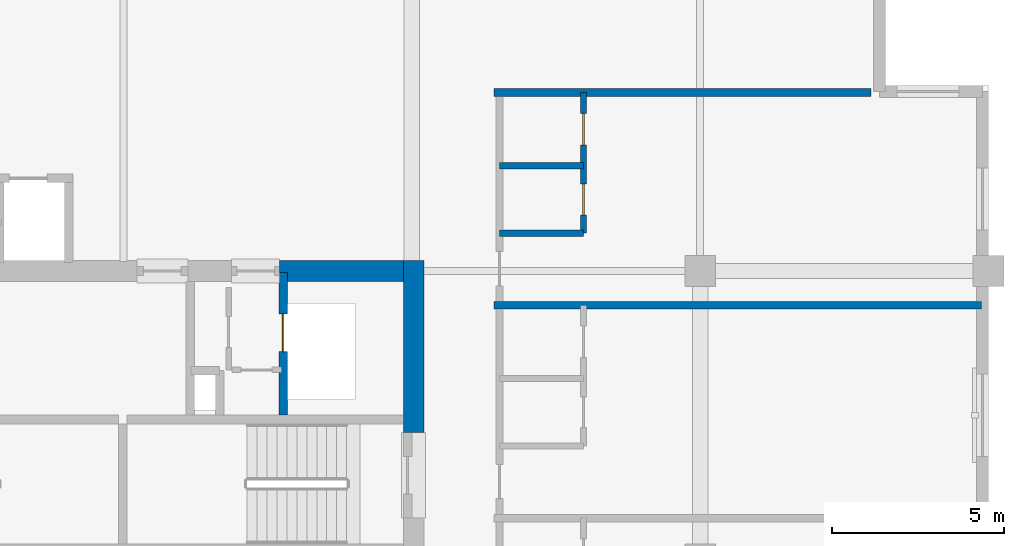
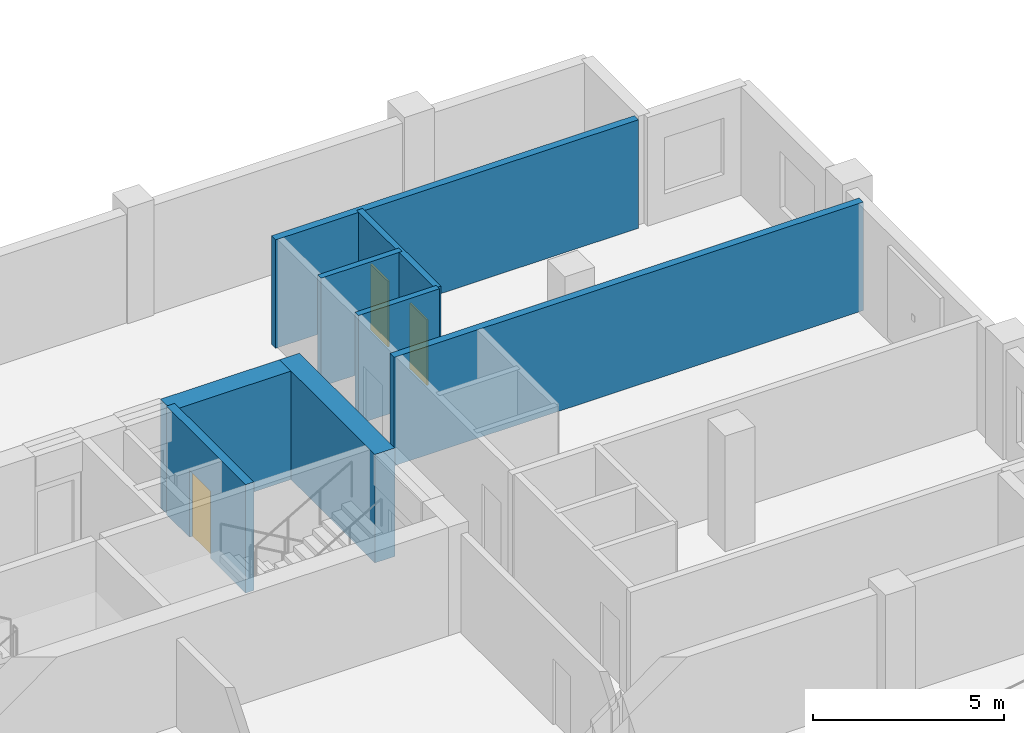
# One storey, part 8 of 17: 8 walls, 3 doors, 3 openings.
"""IFC4 building model written with IfcOpenShell, lengths in metres."""

from ifc_helpers import new_model, si_unit, direction, frame, frame_2d, origin, place, context, subcontext, project, spatial, rectangle, extrude, material, layer, layer_set, type_object, element, fill, save


model = new_model("IFC4")

# Units and contexts
model_context = context("Model", 3, precision=1e-05, world=origin(), true_north=direction((0.0, 1.0)))
body_context = subcontext(model_context, "Body", "Model", "MODEL_VIEW")
ifc_project = project(units=[si_unit("LENGTHUNIT", "METRE"), si_unit("AREAUNIT", "SQUARE_METRE"), si_unit("VOLUMEUNIT", "CUBIC_METRE"), si_unit("PLANEANGLEUNIT", "RADIAN"), si_unit("MASSUNIT", "GRAM", prefix="KILO")], contexts=[model_context])

# Site, building, storey
site_placement = place(None, origin())
site = spatial("IfcSite", under=ifc_project, at=site_placement, CompositionType="ELEMENT")
building_placement = place(site_placement, origin())
building = spatial("IfcBuilding", under=site, at=building_placement, Name="Koriwani Terraces Tower", CompositionType="ELEMENT")
storey_placement = place(building_placement, frame((0.0, 0.0, 237.89990234375)))
storey = spatial("IfcBuildingStorey", under=building, at=storey_placement, Name="L58", CompositionType="ELEMENT", Elevation=237.89990234375)

# Walls
ifc_material_1 = material(Name="Concrete C60/75", Category="concrete")
ifc_layer_1 = layer(ifc_material_1, 0.60009765625, Name="Concrete C60/75")
ifc_layer_set_1 = layer_set([ifc_layer_1], Name="Concrete C60/75")
wall_type_1 = type_object("IfcWallType", Name="WALL_CORE_RC_600", PredefinedType="SHEAR", material=ifc_layer_set_1)
wall_1_placement = place(storey_placement, frame((58.85009765625, 20.5, 0.0), z_axis=(0.0, 0.0, 1.0), x_axis=(0.0, 1.0, 0.0)))
element("IfcWall", 1, at=wall_1_placement, inside=storey, type_object=wall_type_1, Name="L58 East Split Core Shear Wall E2", PredefinedType="SHEAR", context=body_context, shape_type="SweptSolid", body=[
    extrude(rectangle(XDim=5.0, YDim=0.60009765625, at=frame_2d((2.5, 0.0))), origin(), (0.0, 0.0, 1.0), 3.47021484375),
])
wall_2_placement = place(storey_placement, frame((54.949951171875, 25.199951171875, 0.0), z_axis=(0.0, 0.0, 1.0), x_axis=(1.0, 0.0, 0.0)))
element("IfcWall", 2, at=wall_2_placement, inside=storey, type_object=wall_type_1, Name="L58 East Split Core Shear Wall N3", PredefinedType="SHEAR", context=body_context, shape_type="SweptSolid", body=[
    extrude(rectangle(XDim=3.60009765625, YDim=0.60009765625, at=frame_2d((1.800048828125, 0.0))), origin(), (0.0, 0.0, 1.0), 3.47021484375),
])
ifc_material_2 = material(Name="Autoclaved Cellular Concrete Blockwork", Category="masonry")
ifc_layer_2 = layer(ifc_material_2, 0.219970703125, Name="Autoclaved Cellular Concrete Blockwork")
ifc_layer_set_2 = layer_set([ifc_layer_2], Name="Autoclaved Cellular Concrete Blockwork")
wall_type_2 = type_object("IfcWallType", Name="WALL_DEMISING_220", PredefinedType="PARTITIONING", material=ifc_layer_set_2)
wall_3_placement = place(storey_placement, frame((61.199951171875, 24.199951171875, 0.0), z_axis=(0.0, 0.0, 1.0), x_axis=(1.0, 0.0, 0.0)))
element("IfcWall", 3, at=wall_3_placement, inside=storey, type_object=wall_type_2, Name="L58 Interior Wall WRDEM-L58-ETE-2", PredefinedType="PARTITIONING", context=body_context, shape_type="SweptSolid", body=[
    extrude(rectangle(XDim=14.199951171875, YDim=0.219970703125, at=frame_2d((7.10009765625, 0.0))), origin(), (0.0, 0.0, 1.0), 3.47021484375),
])
wall_4_placement = place(storey_placement, frame((61.199951171875, 30.39990234375, 0.0), z_axis=(0.0, 0.0, 1.0), x_axis=(1.0, 0.0, 0.0)))
element("IfcWall", 4, at=wall_4_placement, inside=storey, type_object=wall_type_2, Name="L58 Interior Wall WRDEME-L58-ETE", PredefinedType="PARTITIONING", context=body_context, shape_type="SweptSolid", body=[
    extrude(rectangle(XDim=10.97998046875, YDim=0.219970703125, at=frame_2d((5.489990234375, 0.0))), origin(), (0.0, 0.0, 1.0), 3.47021484375),
])

# Wall, openings, doors
ifc_material_3 = material(Name="Fire-Rated Acoustic Gypsum Partition", Category="masonry")
ifc_layer_3 = layer(ifc_material_3, 0.179931640625, Name="Fire-Rated Acoustic Gypsum Partition")
ifc_layer_set_3 = layer_set([ifc_layer_3], Name="Fire-Rated Acoustic Gypsum Partition")
wall_type_3 = type_object("IfcWallType", Name="WALL_PLUMBING_180", PredefinedType="PLUMBINGWALL", material=ifc_layer_set_3)
wall_5_placement = place(storey_placement, frame((63.800048828125, 26.300048828125, 0.0), z_axis=(0.0, 0.0, 1.0), x_axis=(0.0, 1.0, 0.0)))
wall_5 = element("IfcWall", 5, at=wall_5_placement, inside=storey, type_object=wall_type_3, Name="L58 Interior Wall WRSVC-L58-ETE-2", PredefinedType="PLUMBINGWALL", context=body_context, shape_type="SweptSolid", body=[
    extrude(rectangle(XDim=4.099853515625, YDim=0.179931640625, at=frame_2d((2.0498046875, 0.0))), origin(), (0.0, 0.0, 1.0), 3.47021484375),
])
opening_1_placement = place(wall_5_placement, frame((0.533935546875, 0.0, 0.0)))
opening_1 = element("IfcOpeningElement", 6, at=opening_1_placement, cuts=wall_5, Name="Opening D-07", PredefinedType="OPENING", context=body_context, shape_type="SweptSolid", body=[
    extrude(rectangle(XDim=0.89990234375, YDim=2.10009765625, at=frame_2d((0.449951171875, 1.050048828125))), frame((0.0, 0.10009765625, 0.0), z_axis=(0.0, -1.0, 0.0), x_axis=(1.0, 0.0, 0.0)), (0.0, 0.0, 1.0), 0.199951171875),
])
opening_2_placement = place(wall_5_placement, frame((2.573974609375, 0.0, 0.0)))
opening_2 = element("IfcOpeningElement", 7, at=opening_2_placement, cuts=wall_5, Name="Opening D-06", PredefinedType="OPENING", context=body_context, shape_type="SweptSolid", body=[
    extrude(rectangle(XDim=0.919921875, YDim=2.10009765625, at=frame_2d((0.4599609375, 1.050048828125))), frame((0.0, 0.10009765625, 0.0), z_axis=(0.0, -1.0, 0.0), x_axis=(1.0, 0.0, 0.0)), (0.0, 0.0, 1.0), 0.199951171875),
])
ifc_material_4 = material(Name="Architectural Oak Fire Door", Category="wood")
door_type_1 = type_object("IfcDoorType", Name="DOOR_BATH_INT_900X2100", OperationType="NOTDEFINED", PredefinedType="DOOR", material=ifc_material_4)
door_1_placement = place(opening_1_placement, origin())
door_1 = element("IfcDoor", 8, at=door_1_placement, inside=storey, type_object=door_type_1, Name="Apartment 58ETE3 Bathroom Door", OperationType="SINGLE_SWING_LEFT", OverallHeight=2.10009765625, OverallWidth=0.89990234375, PredefinedType="DOOR", context=body_context, shape_type="SweptSolid", body=[
    extrude(rectangle(XDim=0.89990234375, YDim=2.10009765625, at=frame_2d((0.449951171875, 1.050048828125))), frame((0.0, 0.02490234375, 0.0), z_axis=(0.0, -1.0, 0.0), x_axis=(1.0, 0.0, 0.0)), (0.0, 0.0, 1.0), 0.050048828125),
])
fill(opening_1, door_1)
door_type_2 = type_object("IfcDoorType", Name="DOOR_ROOM_INT_920X2100", OperationType="NOTDEFINED", PredefinedType="DOOR", material=ifc_material_4)
door_2_placement = place(opening_2_placement, origin())
door_2 = element("IfcDoor", 9, at=door_2_placement, inside=storey, type_object=door_type_2, Name="Apartment 58ETE3 Kitchen Door", OperationType="SINGLE_SWING_RIGHT", OverallHeight=2.10009765625, OverallWidth=0.919921875, PredefinedType="DOOR", context=body_context, shape_type="SweptSolid", body=[
    extrude(rectangle(XDim=0.919921875, YDim=2.10009765625, at=frame_2d((0.4599609375, 1.050048828125))), frame((0.0, 0.02490234375, 0.0), z_axis=(0.0, -1.0, 0.0), x_axis=(1.0, 0.0, 0.0)), (0.0, 0.0, 1.0), 0.050048828125),
])
fill(opening_2, door_2)

# Walls
for number, where, z_axis, x_axis, name in (
    (10, (61.35009765625, 26.300048828125, 0.0), (0.0, 0.0, 1.0), (1.0, 0.0, 0.0), "L58 Interior Wall WRSVCS-L58-ETE-2"),
    (11, (61.35009765625, 28.26806640625, 0.0), (0.0, 0.0, 1.0), (1.0, 0.0, 0.0), "L58 Interior Wall WRSVCM-L58-ETE-2"),
):
    element("IfcWall", number, at=place(storey_placement, frame(where, z_axis=z_axis, x_axis=x_axis)), inside=storey, type_object=wall_type_3, Name=name, PredefinedType="PLUMBINGWALL", context=body_context, shape_type="SweptSolid", body=[
        extrude(rectangle(XDim=2.449951171875, YDim=0.179931640625, at=frame_2d((1.22509765625, 0.0))), origin(), (0.0, 0.0, 1.0), 3.47021484375),
    ])

# Wall, opening, door
ifc_material_5 = material(Name="Concrete C40/50", Category="concrete")
ifc_layer_4 = layer(ifc_material_5, 0.25, Name="Concrete C40/50")
ifc_layer_set_4 = layer_set([ifc_layer_4], Name="Concrete C40/50")
wall_type_4 = type_object("IfcWallType", Name="WALL_SHAFT_RATED_250", PredefinedType="SOLIDWALL", material=ifc_layer_set_4)
wall_6_placement = place(storey_placement, frame((55.050048828125, 21.0, 0.0), z_axis=(0.0, 0.0, 1.0), x_axis=(0.0, 1.0, 0.0)))
wall_6 = element("IfcWall", 12, at=wall_6_placement, inside=storey, type_object=wall_type_4, Name="L58 Interior Wall WIN-CE-L58-SE", PredefinedType="SOLIDWALL", context=body_context, shape_type="SweptSolid", body=[
    extrude(rectangle(XDim=4.14990234375, YDim=0.25, at=frame_2d((2.074951171875, 0.0))), origin(), (0.0, 0.0, 1.0), 3.47021484375),
])
opening_3_placement = place(wall_6_placement, frame((1.85009765625, 0.0, 0.0)))
opening_3 = element("IfcOpeningElement", 13, at=opening_3_placement, cuts=wall_6, Name="Opening LD-01", PredefinedType="OPENING", context=body_context, shape_type="SweptSolid", body=[
    extrude(rectangle(XDim=1.10009765625, YDim=2.14990234375, at=frame_2d((0.550048828125, 1.074951171875))), frame((0.0, 0.135009765625, 0.0), z_axis=(0.0, -1.0, 0.0), x_axis=(1.0, 0.0, 0.0)), (0.0, 0.0, 1.0), 0.27001953125),
])
ifc_material_6 = material(Name="Steel ASTM A572 Grade 50", Category="steel")
door_type_3 = type_object("IfcDoorType", Name="DOOR_LIFT_LANDING_1100X2200", OperationType="NOTDEFINED", PredefinedType="DOOR", material=ifc_material_6)
door_3_placement = place(opening_3_placement, origin())
door_3 = element("IfcDoor", 14, at=door_3_placement, inside=storey, type_object=door_type_3, Name="L58 Goods Lift SE-02 Landing Door", OperationType="SLIDING_TO_LEFT", OverallHeight=2.14990234375, OverallWidth=1.10009765625, PredefinedType="DOOR", context=body_context, shape_type="SweptSolid", body=[
    extrude(rectangle(XDim=1.10009765625, YDim=2.14990234375, at=frame_2d((0.550048828125, 1.074951171875))), frame((0.0, 0.02490234375, 0.0), z_axis=(0.0, -1.0, 0.0), x_axis=(1.0, 0.0, 0.0)), (0.0, 0.0, 1.0), 0.050048828125),
])
fill(opening_3, door_3)

save(model, "model.ifc")
